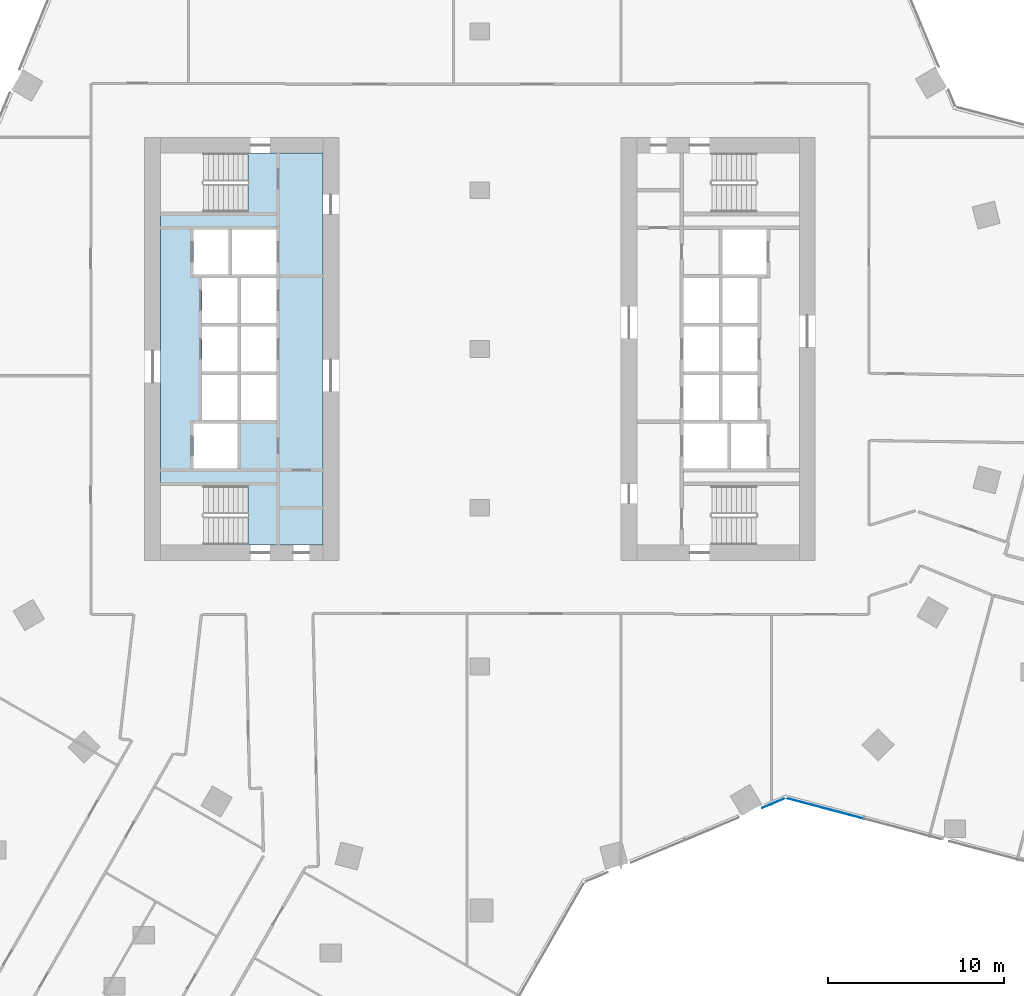
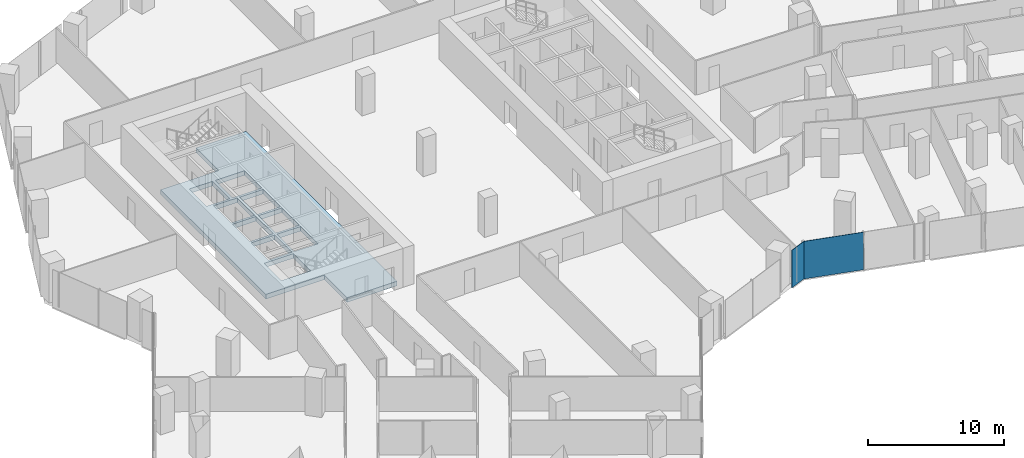
# One storey, part 21 of 34: 2 plates, 1 slab, 2 elements without a shape of their own.
"""IFC4 building model written with IfcOpenShell, lengths in metres."""

from ifc_helpers import new_model, si_unit, direction, frame, origin, origin_2d, place, context, subcontext, project, spatial, polyline, rectangle, outline, extrude, material, layer, layer_set, type_object, element, aggregate, save


model = new_model("IFC4")

# Units and contexts
model_context = context("Model", 3, precision=1e-05, world=origin(), true_north=direction((0.0, 1.0)))
body_context = subcontext(model_context, "Body", "Model", "MODEL_VIEW")
ifc_project = project(units=[si_unit("LENGTHUNIT", "METRE"), si_unit("AREAUNIT", "SQUARE_METRE"), si_unit("VOLUMEUNIT", "CUBIC_METRE"), si_unit("PLANEANGLEUNIT", "RADIAN"), si_unit("MASSUNIT", "GRAM", prefix="KILO")], contexts=[model_context])

# Site, building, storey
site_placement = place(None, origin())
site = spatial("IfcSite", under=ifc_project, at=site_placement, CompositionType="ELEMENT")
building_placement = place(site_placement, origin())
building = spatial("IfcBuilding", under=site, at=building_placement, Name="Orlundy Tower", CompositionType="ELEMENT")
storey_placement = place(building_placement, frame((0.0, 0.0, 105.699951171875)))
storey = spatial("IfcBuildingStorey", under=building, at=storey_placement, Name="L26", CompositionType="ELEMENT", Elevation=105.699951171875)

# Curtain wall, plate
ifc_material_1 = material(Name="Aluminium bronze anodised", Category="aluminium")
curtain_wall_type = type_object("IfcCurtainWallType", Name="CW1 wall", PredefinedType="NOTDEFINED", material=ifc_material_1)
curtain_wall_1_placement = place(storey_placement, origin())
curtain_wall_1 = element("IfcCurtainWall", 1, at=curtain_wall_1_placement, inside=storey, type_object=curtain_wall_type, Name="CW1 run 00", PredefinedType="NOTDEFINED")
ifc_material_2 = material(Name="Tinted glass", Category="glass")
ifc_layer_1 = layer(ifc_material_2, 0.031982421875)
ifc_layer_set_1 = layer_set([ifc_layer_1], Name="CW1 glass panel 32")
plate_type = type_object("IfcPlateType", Name="CW1 glass panel 32", PredefinedType="CURTAIN_PANEL", material=ifc_layer_set_1)
plate_1_placement = place(storey_placement, frame((19.532958984375, -26.0322265625, -0.27978515625), z_axis=(0.0, 0.0, 1.0), x_axis=(-0.966673796654, 0.256011270968, 0.0)))
plate_1 = element("IfcPlate", 2, at=plate_1_placement, type_object=plate_type, Name="CW1 panel", PredefinedType="CURTAIN_PANEL", context=body_context, shape_type="SweptSolid", body=[
    extrude(rectangle(XDim=4.550048828125, YDim=0.031982421875, at=origin_2d()), origin(), (0.0, 0.0, 1.0), 3.3798828125),
])
aggregate(curtain_wall_1, [plate_1])

curtain_wall_2_placement = place(storey_placement, origin())
curtain_wall_2 = element("IfcCurtainWall", 3, at=curtain_wall_2_placement, inside=storey, type_object=curtain_wall_type, Name="CW1 run 01", PredefinedType="NOTDEFINED")
plate_2_placement = place(storey_placement, frame((16.6669921875, -25.728271484375, -0.27978515625), z_axis=(0.0, 0.0, 1.0), x_axis=(-0.922759105019, -0.385377262048, 0.0)))
plate_2 = element("IfcPlate", 4, at=plate_2_placement, type_object=plate_type, Name="CW1 panel", PredefinedType="CURTAIN_PANEL", context=body_context, shape_type="SweptSolid", body=[
    extrude(rectangle(XDim=1.445068359375, YDim=0.031982421875, at=origin_2d()), origin(), (0.0, 0.0, 1.0), 3.3798828125),
])
aggregate(curtain_wall_2, [plate_2])

# Slab
ifc_material_3 = material(Name="Concrete C50/60", Category="concrete")
ifc_layer_2 = layer(ifc_material_3, 0.409912109375)
ifc_layer_set_2 = layer_set([ifc_layer_2], Name="Core Floor Slab 410")
slab_type = type_object("IfcSlabType", Name="Core Floor Slab 410", PredefinedType="FLOOR", material=ifc_layer_set_2)
slab_placement = place(storey_placement, frame((0.0, 0.0, -0.409912109375)))
element("IfcSlab", 5, at=slab_placement, inside=storey, type_object=slab_type, Name="Core floor W21", PredefinedType="FLOOR", context=body_context, shape_type="SweptSolid", body=[
    extrude(outline(polyline([(-13.14501953125, 7.75), (-13.14501953125, 11.10009765625), (-8.89990234375, 11.10009765625), (-8.89990234375, -11.10009765625), (-13.14501953125, -11.10009765625), (-13.14501953125, -7.75), (-18.10009765625, -7.75), (-18.10009765625, 7.75), (-13.14501953125, 7.75)]), holes=[polyline([(-16.239990234375, -6.77490234375), (-13.739990234375, -6.77490234375), (-13.739990234375, -4.22509765625), (-16.239990234375, -4.22509765625), (-16.239990234375, -6.77490234375)]), polyline([(-13.5400390625, -1.47509765625), (-13.5400390625, -4.02490234375), (-11.5400390625, -4.02490234375), (-11.5400390625, -1.47509765625), (-13.5400390625, -1.47509765625)]), polyline([(-13.739990234375, -1.47509765625), (-15.739990234375, -1.47509765625), (-15.739990234375, -4.02490234375), (-13.739990234375, -4.02490234375), (-13.739990234375, -1.47509765625)]), polyline([(-11.5400390625, -1.27490234375), (-11.5400390625, 1.27490234375), (-13.5400390625, 1.27490234375), (-13.5400390625, -1.27490234375), (-11.5400390625, -1.27490234375)]), polyline([(-15.739990234375, -1.27490234375), (-13.739990234375, -1.27490234375), (-13.739990234375, 1.27490234375), (-15.739990234375, 1.27490234375), (-15.739990234375, -1.27490234375)]), polyline([(-13.5400390625, 4.02490234375), (-13.5400390625, 1.47509765625), (-11.5400390625, 1.47509765625), (-11.5400390625, 4.02490234375), (-13.5400390625, 4.02490234375)]), polyline([(-13.739990234375, 4.02490234375), (-15.739990234375, 4.02490234375), (-15.739990234375, 1.47509765625), (-13.739990234375, 1.47509765625), (-13.739990234375, 4.02490234375)]), polyline([(-11.5400390625, 4.22509765625), (-11.5400390625, 6.77490234375), (-14.0400390625, 6.77490234375), (-14.0400390625, 4.22509765625), (-11.5400390625, 4.22509765625)]), polyline([(-16.239990234375, 4.22509765625), (-14.239990234375, 4.22509765625), (-14.239990234375, 6.77490234375), (-16.239990234375, 6.77490234375), (-16.239990234375, 4.22509765625)])]), origin(), (0.0, 0.0, 1.0), 0.409912109375),
])

save(model, "model.ifc")
